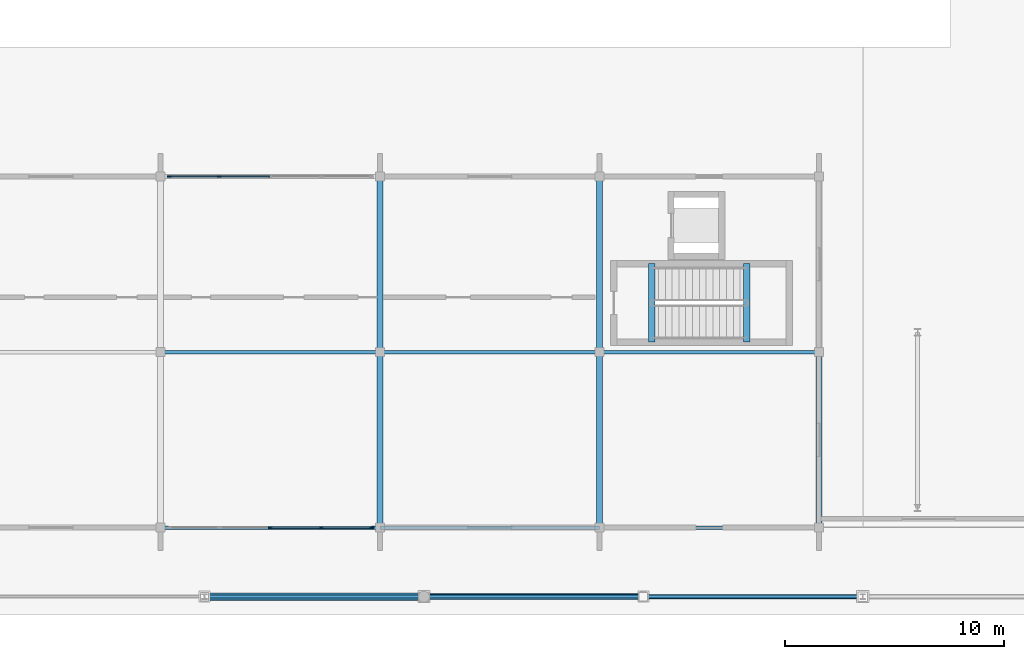
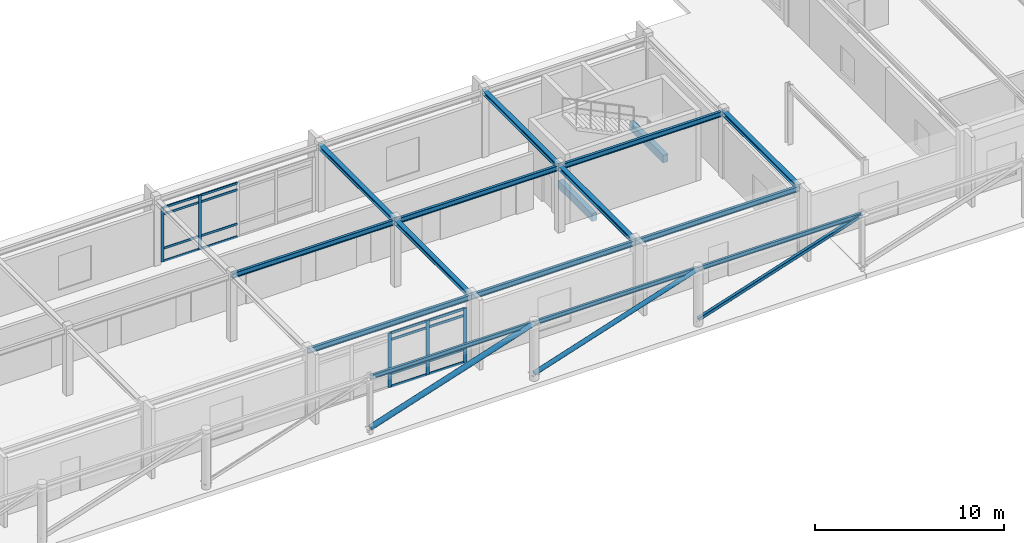
# One storey, part 10 of 61: 24 members, 16 beams, 2 elements without a shape of their own.
"""IFC4 building model written with IfcOpenShell, lengths in metres."""

from ifc_helpers import new_model, si_unit, direction, frame, origin, origin_2d, place, context, subcontext, project, spatial, rectangle, hollow_rectangle, hollow_circle, i_section, extrude, material, material_profile, profile_set, type_object, element, aggregate, save


model = new_model("IFC4")

# Units and contexts
model_context = context("Model", 3, precision=1e-05, world=origin(), true_north=direction((0.0, 1.0)))
body_context = subcontext(model_context, "Body", "Model", "MODEL_VIEW")
ifc_project = project(units=[si_unit("LENGTHUNIT", "METRE"), si_unit("AREAUNIT", "SQUARE_METRE"), si_unit("VOLUMEUNIT", "CUBIC_METRE"), si_unit("PLANEANGLEUNIT", "RADIAN"), si_unit("MASSUNIT", "GRAM", prefix="KILO")], contexts=[model_context])

# Site, building, storey
site_placement = place(None, origin())
site = spatial("IfcSite", under=ifc_project, at=site_placement, CompositionType="ELEMENT")
building_placement = place(site_placement, origin())
building = spatial("IfcBuilding", under=site, at=building_placement, Name="Zimvara Arc Housing Community", CompositionType="ELEMENT")
storey_placement = place(building_placement, origin())
storey = spatial("IfcBuildingStorey", under=building, at=storey_placement, Name="L00", CompositionType="ELEMENT", Elevation=0.0)

# Beams
ifc_material_1 = material(Name="Concrete C40/50", Category="concrete")
ifc_material_profile_1 = material_profile(ifc_material_1, rectangle(XDim=0.300048828125, YDim=0.5, at=origin_2d()), Name="RC 300x500")
ifc_profile_set_1 = profile_set([ifc_material_profile_1], Name="Concrete C40/50")
beam_type_1 = type_object("IfcBeamType", Name="BM-RC-300x500", PredefinedType="BEAM", material=ifc_profile_set_1)
for number, where, z_axis, x_axis, name in (
    (1, (50.3798828125, 12.054931640625, -0.25), (0.0, 1.0, 0.0), (-1.0, 0.0, 0.0), "bm:stair_trim:ST-S1:L00:near"),
    (2, (54.719970703125, 12.054931640625, 2.0), (0.0, 1.0, 0.0), (-1.0, 0.0, 0.0), "bm:stair_trim:ST-S1:L00:mid"),
):
    element("IfcBeam", number, at=place(storey_placement, frame(where, z_axis=z_axis, x_axis=x_axis)), inside=storey, type_object=beam_type_1, Name=name, PredefinedType="BEAM", context=body_context, shape_type="SweptSolid", body=[
        extrude(rectangle(XDim=0.300048828125, YDim=0.5, at=origin_2d()), origin(), (0.0, 0.0, 1.0), 3.570068359375),
    ])
ifc_material_2 = material(Name="Steel S355", Category="steel")
ifc_material_profile_2 = material_profile(ifc_material_2, i_section(OverallWidth=0.280029296875, OverallDepth=0.27001953125, WebThickness=0.008056640625, FlangeThickness=0.012939453125, FilletRadius=0.02392578125, at=origin_2d()), Name="HEA 280")
ifc_profile_set_2 = profile_set([ifc_material_profile_2], Name="Steel S355")
beam_type_2 = type_object("IfcBeamType", Name="BM-ST-HEA280", PredefinedType="BEAM", material=ifc_profile_set_2)
for number, where, z_axis, x_axis, name in (
    (3, (38.0, 3.60009765625, 4.1201171875), (0.0, 1.0, 0.0), (-1.0, 0.0, 0.0), "bm:shops:L00:y:x4:b0"),
    (4, (38.0, 11.60009765625, 4.1201171875), (0.0, 1.0, 0.0), (-1.0, 0.0, 0.0), "bm:shops:L00:y:x4:b1"),
    (5, (48.0, 3.60009765625, 4.1201171875), (0.0, 1.0, 0.0), (-1.0, 0.0, 0.0), "bm:shops:L00:y:x5:b0"),
    (6, (48.0, 11.60009765625, 4.1201171875), (0.0, 1.0, 0.0), (-1.0, 0.0, 0.0), "bm:shops:L00:y:x5:b1"),
    (7, (58.0, 3.60009765625, 4.1201171875), (0.0, 1.0, 0.0), (-1.0, 0.0, 0.0), "bm:shops:L00:y:x6:b0"),
):
    element("IfcBeam", number, at=place(storey_placement, frame(where, z_axis=z_axis, x_axis=x_axis)), inside=storey, type_object=beam_type_2, Name=name, PredefinedType="BEAM", context=body_context, shape_type="SweptSolid", body=[
        extrude(i_section(OverallWidth=0.280029296875, OverallDepth=0.27001953125, WebThickness=0.008056640625, FlangeThickness=0.012939453125, FilletRadius=0.02392578125, at=origin_2d()), origin(), (0.0, 0.0, 1.0), 8.0),
    ])
ifc_material_3 = material(Name="Steel S355", Category="steel")
ifc_material_profile_3 = material_profile(ifc_material_3, i_section(OverallWidth=0.135009765625, OverallDepth=0.27001953125, WebThickness=0.006591796875, FlangeThickness=0.01025390625, FilletRadius=0.014892578125, at=origin_2d()), Name="IPE 270")
ifc_profile_set_3 = profile_set([ifc_material_profile_3], Name="Steel S355")
beam_type_3 = type_object("IfcBeamType", Name="BM-ST-IPE270", PredefinedType="JOIST", material=ifc_profile_set_3)
for number, where, z_axis, x_axis, name in (
    (8, (30.0, 0.449951171875, 3.60009765625), (1.0, 0.0, 0.0), (0.0, 1.0, 0.0), "bm:colonnade:L00:s1:30"),
    (9, (40.0, 0.449951171875, 3.60009765625), (1.0, 0.0, 0.0), (0.0, 1.0, 0.0), "bm:colonnade:L00:s1:40"),
    (10, (50.0, 0.449951171875, 3.60009765625), (1.0, 0.0, 0.0), (0.0, 1.0, 0.0), "bm:colonnade:L00:s1:50"),
):
    element("IfcBeam", number, at=place(storey_placement, frame(where, z_axis=z_axis, x_axis=x_axis)), inside=storey, type_object=beam_type_3, Name=name, PredefinedType="JOIST", context=body_context, shape_type="SweptSolid", body=[
        extrude(i_section(OverallWidth=0.135009765625, OverallDepth=0.27001953125, WebThickness=0.006591796875, FlangeThickness=0.01025390625, FilletRadius=0.014892578125, at=origin_2d()), origin(), (0.0, 0.0, 1.0), 10.0),
    ])
ifc_material_4 = material(Name="Steel S355", Category="steel")
ifc_material_profile_4 = material_profile(ifc_material_4, i_section(OverallWidth=0.159912109375, OverallDepth=0.330078125, WebThickness=0.007568359375, FlangeThickness=0.011474609375, FilletRadius=0.01806640625, at=origin_2d()), Name="IPE 330")
ifc_profile_set_4 = profile_set([ifc_material_profile_4], Name="Steel S355")
beam_type_4 = type_object("IfcBeamType", Name="BM-ST-IPE330", PredefinedType="BEAM", material=ifc_profile_set_4)
for number, where, z_axis, x_axis, name in (
    (11, (28.0, 3.60009765625, 4.090087890625), (1.0, 0.0, 0.0), (0.0, 1.0, 0.0), "bm:shops:L00:x:y0:b3"),
    (12, (38.0, 3.60009765625, 4.090087890625), (1.0, 0.0, 0.0), (0.0, 1.0, 0.0), "bm:shops:L00:x:y0:b4"),
    (13, (48.0, 3.60009765625, 4.090087890625), (1.0, 0.0, 0.0), (0.0, 1.0, 0.0), "bm:shops:L00:x:y0:b5"),
    (14, (28.0, 11.60009765625, 4.090087890625), (1.0, 0.0, 0.0), (0.0, 1.0, 0.0), "bm:shops:L00:x:y1:b3"),
    (15, (38.0, 11.60009765625, 4.090087890625), (1.0, 0.0, 0.0), (0.0, 1.0, 0.0), "bm:shops:L00:x:y1:b4"),
    (16, (48.0, 11.60009765625, 4.090087890625), (1.0, 0.0, 0.0), (0.0, 1.0, 0.0), "bm:shops:L00:x:y1:b5"),
):
    element("IfcBeam", number, at=place(storey_placement, frame(where, z_axis=z_axis, x_axis=x_axis)), inside=storey, type_object=beam_type_4, Name=name, PredefinedType="BEAM", context=body_context, shape_type="SweptSolid", body=[
        extrude(i_section(OverallWidth=0.159912109375, OverallDepth=0.330078125, WebThickness=0.007568359375, FlangeThickness=0.011474609375, FilletRadius=0.01806640625, at=origin_2d()), origin(), (0.0, 0.0, 1.0), 10.0),
    ])

# Curtain wall, members
ifc_material_5 = material(Name="Anodised Aluminium AW-6063", Category="aluminium")
curtain_wall_type_1 = type_object("IfcCurtainWallType", Name="CW-SYS-06", PredefinedType="USERDEFINED", material=ifc_material_5)
curtain_wall_1_placement = place(storey_placement, origin())
curtain_wall_1 = element("IfcCurtainWall", 17, at=curtain_wall_1_placement, inside=storey, type_object=curtain_wall_type_1, Name="cw:shops:L00:north:b3", ObjectType="CURTAIN WALL", PredefinedType="USERDEFINED")
ifc_material_6 = material(Name="Anodised Aluminium AW-6063", Category="aluminium")
ifc_material_profile_5 = material_profile(ifc_material_6, rectangle(XDim=0.06494140625, YDim=0.179931640625, at=origin_2d()), Name="ALU 65x180")
ifc_profile_set_5 = profile_set([ifc_material_profile_5], Name="Anodised Aluminium AW-6063")
member_type_1 = type_object("IfcMemberType", Name="CWM-65x150", PredefinedType="MULLION", material=ifc_profile_set_5)
member_1_placement = place(storey_placement, frame((28.392578125, 19.60009765625, 0.0), z_axis=(0.0, 0.0, 1.0), x_axis=(0.0, 1.0, 0.0)))
member_1 = element("IfcMember", 18, at=member_1_placement, type_object=member_type_1, Name="CW06 mullion 1", PredefinedType="MULLION", context=body_context, shape_type="SweptSolid", body=[
    extrude(rectangle(XDim=0.06494140625, YDim=0.179931640625, at=origin_2d()), origin(), (0.0, 0.0, 1.0), 3.5),
])
member_2_placement = place(storey_placement, frame((30.679931640625, 19.60009765625, 0.0), z_axis=(0.0, 0.0, 1.0), x_axis=(0.0, 1.0, 0.0)))
member_2 = element("IfcMember", 19, at=member_2_placement, type_object=member_type_1, Name="CW06 mullion 2", PredefinedType="MULLION", context=body_context, shape_type="SweptSolid", body=[
    extrude(rectangle(XDim=0.06494140625, YDim=0.179931640625, at=origin_2d()), origin(), (0.0, 0.0, 1.0), 3.5),
])

ifc_material_7 = material(Name="Anodised Aluminium AW-6063", Category="aluminium")
curtain_wall_type_2 = type_object("IfcCurtainWallType", Name="CW-SYS-05", PredefinedType="USERDEFINED", material=ifc_material_7)
curtain_wall_2_placement = place(storey_placement, origin())
curtain_wall_2 = element("IfcCurtainWall", 20, at=curtain_wall_2_placement, inside=storey, type_object=curtain_wall_type_2, Name="cw:shops:L00:south:b3", ObjectType="CURTAIN WALL", PredefinedType="USERDEFINED")
ifc_material_8 = material(Name="Anodised Aluminium AW-6063", Category="aluminium")
ifc_material_profile_6 = material_profile(ifc_material_8, rectangle(XDim=0.06494140625, YDim=0.195068359375, at=origin_2d()), Name="ALU 65x195")
ifc_profile_set_6 = profile_set([ifc_material_profile_6], Name="Anodised Aluminium AW-6063")
member_type_2 = type_object("IfcMemberType", Name="CWM-65x180", PredefinedType="MULLION", material=ifc_profile_set_6)
member_3_placement = place(storey_placement, frame((33.0, 3.60009765625, 0.0), z_axis=(0.0, 0.0, 1.0), x_axis=(0.0, 1.0, 0.0)))
member_3 = element("IfcMember", 21, at=member_3_placement, type_object=member_type_2, Name="CW05 mullion 3", PredefinedType="MULLION", context=body_context, shape_type="SweptSolid", body=[
    extrude(rectangle(XDim=0.06494140625, YDim=0.195068359375, at=origin_2d()), origin(), (0.0, 0.0, 1.0), 3.5),
])
member_4_placement = place(storey_placement, frame((35.320068359375, 3.60009765625, 0.0), z_axis=(0.0, 0.0, 1.0), x_axis=(0.0, 1.0, 0.0)))
member_4 = element("IfcMember", 22, at=member_4_placement, type_object=member_type_2, Name="CW05 mullion 4", PredefinedType="MULLION", context=body_context, shape_type="SweptSolid", body=[
    extrude(rectangle(XDim=0.06494140625, YDim=0.195068359375, at=origin_2d()), origin(), (0.0, 0.0, 1.0), 3.5),
])
member_5_placement = place(storey_placement, frame((37.607421875, 3.60009765625, 0.0), z_axis=(0.0, 0.0, 1.0), x_axis=(0.0, 1.0, 0.0)))
member_5 = element("IfcMember", 23, at=member_5_placement, type_object=member_type_2, Name="CW05 mullion 5", PredefinedType="MULLION", context=body_context, shape_type="SweptSolid", body=[
    extrude(rectangle(XDim=0.06494140625, YDim=0.195068359375, at=origin_2d()), origin(), (0.0, 0.0, 1.0), 3.5),
])

# Member
ifc_material_9 = material(Name="Anodised Aluminium AW-6063", Category="aluminium")
ifc_material_profile_7 = material_profile(ifc_material_9, rectangle(XDim=0.06494140625, YDim=0.139892578125, at=origin_2d()), Name="ALU 65x140")
ifc_profile_set_7 = profile_set([ifc_material_profile_7], Name="Anodised Aluminium AW-6063")
member_type_3 = type_object("IfcMemberType", Name="CWT-65x120", PredefinedType="USERDEFINED", material=ifc_profile_set_7)
member_6_placement = place(storey_placement, frame((28.425048828125, 19.60009765625, 0.032470703125), z_axis=(1.0, 0.0, 0.0), x_axis=(0.0, 1.0, 0.0)))
member_6 = element("IfcMember", 24, at=member_6_placement, type_object=member_type_3, Name="CW06 transom 1.1", ObjectType="TRANSOM", PredefinedType="USERDEFINED", context=body_context, shape_type="SweptSolid", body=[
    extrude(rectangle(XDim=0.06494140625, YDim=0.139892578125, at=origin_2d()), origin(), (0.0, 0.0, 1.0), 2.222412109375),
])

member_7_placement = place(storey_placement, frame((28.425048828125, 19.60009765625, 0.85009765625), z_axis=(1.0, 0.0, 0.0), x_axis=(0.0, 1.0, 0.0)))
member_7 = element("IfcMember", 25, at=member_7_placement, type_object=member_type_3, Name="CW06 transom 1.2", ObjectType="TRANSOM", PredefinedType="USERDEFINED", context=body_context, shape_type="SweptSolid", body=[
    extrude(rectangle(XDim=0.06494140625, YDim=0.139892578125, at=origin_2d()), origin(), (0.0, 0.0, 1.0), 2.222412109375),
])

member_8_placement = place(storey_placement, frame((28.425048828125, 19.60009765625, 3.050048828125), z_axis=(1.0, 0.0, 0.0), x_axis=(0.0, 1.0, 0.0)))
member_8 = element("IfcMember", 26, at=member_8_placement, type_object=member_type_3, Name="CW06 transom 1.3", ObjectType="TRANSOM", PredefinedType="USERDEFINED", context=body_context, shape_type="SweptSolid", body=[
    extrude(rectangle(XDim=0.06494140625, YDim=0.139892578125, at=origin_2d()), origin(), (0.0, 0.0, 1.0), 2.222412109375),
])

member_9_placement = place(storey_placement, frame((28.425048828125, 19.60009765625, 3.467529296875), z_axis=(1.0, 0.0, 0.0), x_axis=(0.0, 1.0, 0.0)))
member_9 = element("IfcMember", 27, at=member_9_placement, type_object=member_type_3, Name="CW06 transom 1.4", ObjectType="TRANSOM", PredefinedType="USERDEFINED", context=body_context, shape_type="SweptSolid", body=[
    extrude(rectangle(XDim=0.06494140625, YDim=0.139892578125, at=origin_2d()), origin(), (0.0, 0.0, 1.0), 2.222412109375),
])

member_10_placement = place(storey_placement, frame((30.71240234375, 19.60009765625, 0.032470703125), z_axis=(1.0, 0.0, 0.0), x_axis=(0.0, 1.0, 0.0)))
member_10 = element("IfcMember", 28, at=member_10_placement, type_object=member_type_3, Name="CW06 transom 2.1", ObjectType="TRANSOM", PredefinedType="USERDEFINED", context=body_context, shape_type="SweptSolid", body=[
    extrude(rectangle(XDim=0.06494140625, YDim=0.139892578125, at=origin_2d()), origin(), (0.0, 0.0, 1.0), 2.255126953125),
])

member_11_placement = place(storey_placement, frame((30.71240234375, 19.60009765625, 0.85009765625), z_axis=(1.0, 0.0, 0.0), x_axis=(0.0, 1.0, 0.0)))
member_11 = element("IfcMember", 29, at=member_11_placement, type_object=member_type_3, Name="CW06 transom 2.2", ObjectType="TRANSOM", PredefinedType="USERDEFINED", context=body_context, shape_type="SweptSolid", body=[
    extrude(rectangle(XDim=0.06494140625, YDim=0.139892578125, at=origin_2d()), origin(), (0.0, 0.0, 1.0), 2.255126953125),
])

member_12_placement = place(storey_placement, frame((30.71240234375, 19.60009765625, 3.050048828125), z_axis=(1.0, 0.0, 0.0), x_axis=(0.0, 1.0, 0.0)))
member_12 = element("IfcMember", 30, at=member_12_placement, type_object=member_type_3, Name="CW06 transom 2.3", ObjectType="TRANSOM", PredefinedType="USERDEFINED", context=body_context, shape_type="SweptSolid", body=[
    extrude(rectangle(XDim=0.06494140625, YDim=0.139892578125, at=origin_2d()), origin(), (0.0, 0.0, 1.0), 2.255126953125),
])

member_13_placement = place(storey_placement, frame((30.71240234375, 19.60009765625, 3.467529296875), z_axis=(1.0, 0.0, 0.0), x_axis=(0.0, 1.0, 0.0)))
member_13 = element("IfcMember", 31, at=member_13_placement, type_object=member_type_3, Name="CW06 transom 2.4", ObjectType="TRANSOM", PredefinedType="USERDEFINED", context=body_context, shape_type="SweptSolid", body=[
    extrude(rectangle(XDim=0.06494140625, YDim=0.139892578125, at=origin_2d()), origin(), (0.0, 0.0, 1.0), 2.255126953125),
])

aggregate(curtain_wall_1, [member_1, member_2, member_6, member_7, member_8, member_9, member_10, member_11, member_12, member_13])

ifc_material_10 = material(Name="Anodised Aluminium AW-6063", Category="aluminium")
ifc_material_profile_8 = material_profile(ifc_material_10, rectangle(XDim=0.06494140625, YDim=0.155029296875, at=origin_2d()), Name="ALU 65x155")
ifc_profile_set_8 = profile_set([ifc_material_profile_8], Name="Anodised Aluminium AW-6063")
member_type_4 = type_object("IfcMemberType", Name="CWT-65x140", PredefinedType="USERDEFINED", material=ifc_profile_set_8)
member_14_placement = place(storey_placement, frame((33.032470703125, 3.60009765625, 0.032470703125), z_axis=(1.0, 0.0, 0.0), x_axis=(0.0, 1.0, 0.0)))
member_14 = element("IfcMember", 32, at=member_14_placement, type_object=member_type_4, Name="CW05 transom 3.1", ObjectType="TRANSOM", PredefinedType="USERDEFINED", context=body_context, shape_type="SweptSolid", body=[
    extrude(rectangle(XDim=0.06494140625, YDim=0.155029296875, at=origin_2d()), origin(), (0.0, 0.0, 1.0), 2.255126953125),
])

member_15_placement = place(storey_placement, frame((33.032470703125, 3.60009765625, 0.85009765625), z_axis=(1.0, 0.0, 0.0), x_axis=(0.0, 1.0, 0.0)))
member_15 = element("IfcMember", 33, at=member_15_placement, type_object=member_type_4, Name="CW05 transom 3.2", ObjectType="TRANSOM", PredefinedType="USERDEFINED", context=body_context, shape_type="SweptSolid", body=[
    extrude(rectangle(XDim=0.06494140625, YDim=0.155029296875, at=origin_2d()), origin(), (0.0, 0.0, 1.0), 2.255126953125),
])

member_16_placement = place(storey_placement, frame((33.032470703125, 3.60009765625, 3.050048828125), z_axis=(1.0, 0.0, 0.0), x_axis=(0.0, 1.0, 0.0)))
member_16 = element("IfcMember", 34, at=member_16_placement, type_object=member_type_4, Name="CW05 transom 3.3", ObjectType="TRANSOM", PredefinedType="USERDEFINED", context=body_context, shape_type="SweptSolid", body=[
    extrude(rectangle(XDim=0.06494140625, YDim=0.155029296875, at=origin_2d()), origin(), (0.0, 0.0, 1.0), 2.255126953125),
])

member_17_placement = place(storey_placement, frame((33.032470703125, 3.60009765625, 3.467529296875), z_axis=(1.0, 0.0, 0.0), x_axis=(0.0, 1.0, 0.0)))
member_17 = element("IfcMember", 35, at=member_17_placement, type_object=member_type_4, Name="CW05 transom 3.4", ObjectType="TRANSOM", PredefinedType="USERDEFINED", context=body_context, shape_type="SweptSolid", body=[
    extrude(rectangle(XDim=0.06494140625, YDim=0.155029296875, at=origin_2d()), origin(), (0.0, 0.0, 1.0), 2.255126953125),
])

member_18_placement = place(storey_placement, frame((35.3525390625, 3.60009765625, 0.032470703125), z_axis=(1.0, 0.0, 0.0), x_axis=(0.0, 1.0, 0.0)))
member_18 = element("IfcMember", 36, at=member_18_placement, type_object=member_type_4, Name="CW05 transom 4.1", ObjectType="TRANSOM", PredefinedType="USERDEFINED", context=body_context, shape_type="SweptSolid", body=[
    extrude(rectangle(XDim=0.06494140625, YDim=0.155029296875, at=origin_2d()), origin(), (0.0, 0.0, 1.0), 2.222412109375),
])

member_19_placement = place(storey_placement, frame((35.3525390625, 3.60009765625, 0.85009765625), z_axis=(1.0, 0.0, 0.0), x_axis=(0.0, 1.0, 0.0)))
member_19 = element("IfcMember", 37, at=member_19_placement, type_object=member_type_4, Name="CW05 transom 4.2", ObjectType="TRANSOM", PredefinedType="USERDEFINED", context=body_context, shape_type="SweptSolid", body=[
    extrude(rectangle(XDim=0.06494140625, YDim=0.155029296875, at=origin_2d()), origin(), (0.0, 0.0, 1.0), 2.222412109375),
])

member_20_placement = place(storey_placement, frame((35.3525390625, 3.60009765625, 3.050048828125), z_axis=(1.0, 0.0, 0.0), x_axis=(0.0, 1.0, 0.0)))
member_20 = element("IfcMember", 38, at=member_20_placement, type_object=member_type_4, Name="CW05 transom 4.3", ObjectType="TRANSOM", PredefinedType="USERDEFINED", context=body_context, shape_type="SweptSolid", body=[
    extrude(rectangle(XDim=0.06494140625, YDim=0.155029296875, at=origin_2d()), origin(), (0.0, 0.0, 1.0), 2.222412109375),
])

member_21_placement = place(storey_placement, frame((35.3525390625, 3.60009765625, 3.467529296875), z_axis=(1.0, 0.0, 0.0), x_axis=(0.0, 1.0, 0.0)))
member_21 = element("IfcMember", 39, at=member_21_placement, type_object=member_type_4, Name="CW05 transom 4.4", ObjectType="TRANSOM", PredefinedType="USERDEFINED", context=body_context, shape_type="SweptSolid", body=[
    extrude(rectangle(XDim=0.06494140625, YDim=0.155029296875, at=origin_2d()), origin(), (0.0, 0.0, 1.0), 2.222412109375),
])

aggregate(curtain_wall_2, [member_3, member_4, member_5, member_14, member_15, member_16, member_17, member_18, member_19, member_20, member_21])

# Members
ifc_material_11 = material(Name="Steel S355", Category="steel")
ifc_material_profile_9 = material_profile(ifc_material_11, hollow_rectangle(XDim=0.199951171875, YDim=0.199951171875, WallThickness=0.010009765625, InnerFilletRadius=0.010009765625, OuterFilletRadius=0.02001953125, at=origin_2d()), Name="SHS 200x200x10.0")
ifc_profile_set_9 = profile_set([ifc_material_profile_9], Name="Steel S355")
member_type_5 = type_object("IfcMemberType", Name="MB-BRACE-SHS200", PredefinedType="BRACE", material=ifc_profile_set_9)
member_22_placement = place(storey_placement, frame((50.0, 0.449951171875, 0.35009765625), z_axis=(0.951034068731, 0.0, 0.309086072338), x_axis=(0.0, 1.0, 0.0)))
element("IfcMember", 40, at=member_22_placement, inside=storey, type_object=member_type_5, Name="mb:colonnade:L00:s1:50", PredefinedType="BRACE", context=body_context, shape_type="SweptSolid", body=[
    extrude(hollow_rectangle(XDim=0.199951171875, YDim=0.199951171875, WallThickness=0.010009765625, InnerFilletRadius=0.010009765625, OuterFilletRadius=0.02001953125, at=origin_2d()), origin(), (0.0, 0.0, 1.0), 10.514892578125),
])
ifc_material_12 = material(Name="Steel S355", Category="steel")
ifc_material_profile_10 = material_profile(ifc_material_12, hollow_circle(Radius=0.136474609375, WallThickness=0.010009765625, at=origin_2d()), Name="CHS 273.0x10.0")
ifc_profile_set_10 = profile_set([ifc_material_profile_10], Name="Steel S355")
member_type_6 = type_object("IfcMemberType", Name="MB-STRUT-CHS273", PredefinedType="STRUT", material=ifc_profile_set_10)
member_23_placement = place(storey_placement, frame((40.0, 0.449951171875, 0.35009765625), z_axis=(0.951034068731, 0.0, 0.309086072338), x_axis=(0.0, 1.0, 0.0)))
element("IfcMember", 41, at=member_23_placement, inside=storey, type_object=member_type_6, Name="mb:colonnade:L00:s1:40", PredefinedType="STRUT", context=body_context, shape_type="SweptSolid", body=[
    extrude(hollow_circle(Radius=0.136474609375, WallThickness=0.010009765625, at=origin_2d()), origin(), (0.0, 0.0, 1.0), 10.514892578125),
])
ifc_material_13 = material(Name="Steel S355", Category="steel")
ifc_material_profile_11 = material_profile(ifc_material_13, hollow_circle(Radius=0.161865234375, WallThickness=0.010009765625, at=origin_2d()), Name="CHS 323.9x10.0")
ifc_profile_set_11 = profile_set([ifc_material_profile_11], Name="Steel S355")
member_type_7 = type_object("IfcMemberType", Name="MB-STRUT-CHS324", PredefinedType="STRUT", material=ifc_profile_set_11)
member_24_placement = place(storey_placement, frame((30.0, 0.449951171875, 0.35009765625), z_axis=(0.951034068731, 0.0, 0.309086072338), x_axis=(0.0, 1.0, 0.0)))
element("IfcMember", 42, at=member_24_placement, inside=storey, type_object=member_type_7, Name="mb:colonnade:L00:s1:30", PredefinedType="STRUT", context=body_context, shape_type="SweptSolid", body=[
    extrude(hollow_circle(Radius=0.161865234375, WallThickness=0.010009765625, at=origin_2d()), origin(), (0.0, 0.0, 1.0), 10.514892578125),
])

save(model, "model.ifc")
